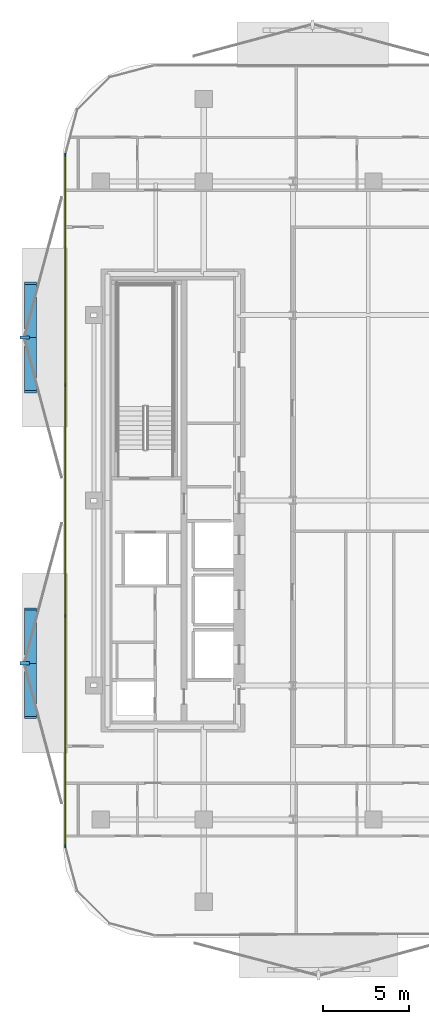
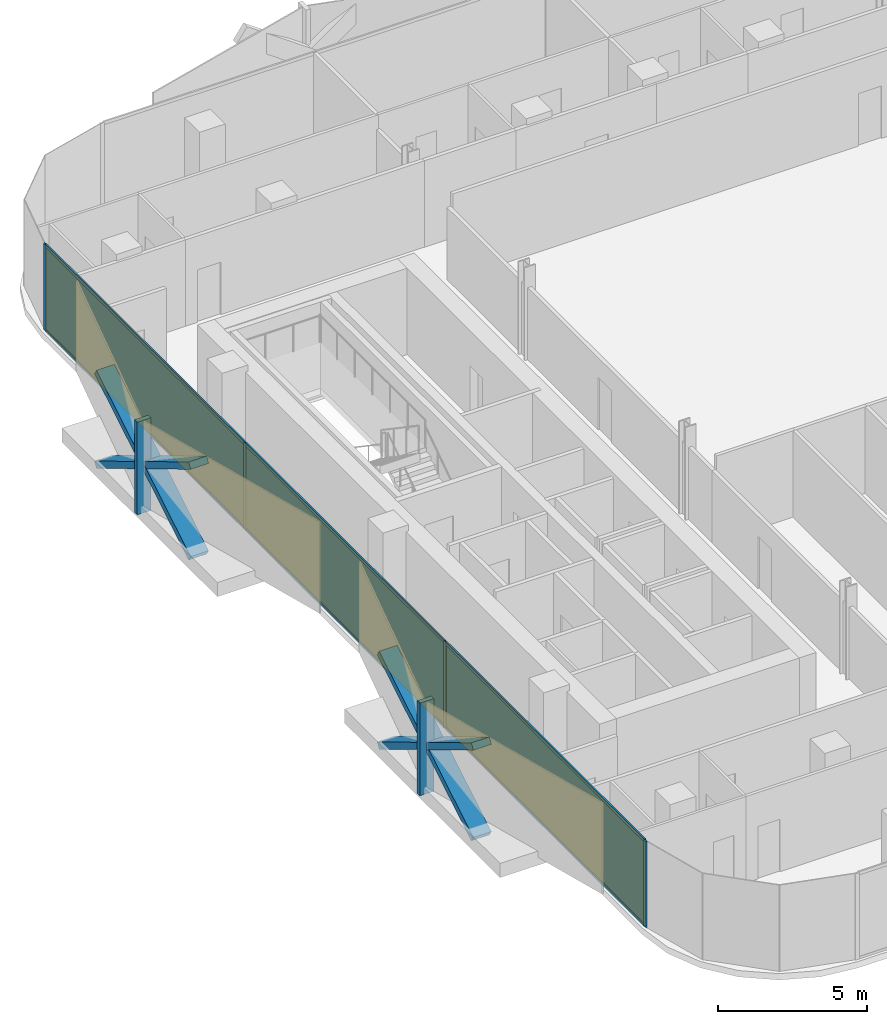
# One storey, part 10 of 17: 16 members, 3 plates, 1 curtain wall.
"""IFC4 building model written with IfcOpenShell, lengths in metres."""

from ifc_helpers import new_model, si_unit, direction, frame, frame_2d, origin, origin_2d, place, context, subcontext, project, spatial, rectangle, extrude, material, layer, layer_set, material_profile, profile_set, type_object, element, aggregate, save


model = new_model("IFC4")

# Units and contexts
model_context = context("Model", 3, precision=1e-05, world=origin(), true_north=direction((0.0, 1.0)))
body_context = subcontext(model_context, "Body", "Model", "MODEL_VIEW")
ifc_project = project(units=[si_unit("LENGTHUNIT", "METRE"), si_unit("AREAUNIT", "SQUARE_METRE"), si_unit("VOLUMEUNIT", "CUBIC_METRE"), si_unit("PLANEANGLEUNIT", "RADIAN"), si_unit("MASSUNIT", "GRAM", prefix="KILO")], contexts=[model_context])

# Member
ifc_material_1 = material(Name="Anodised Bronze Aluminium 6063-T6", Category="aluminium")
ifc_material_profile_1 = material_profile(ifc_material_1, rectangle(XDim=0.260009765625, YDim=0.699951171875, at=origin_2d()))
ifc_profile_set_1 = profile_set([ifc_material_profile_1], Name="Anodised Bronze Aluminium 6063-T6")
member_type_1 = type_object("IfcMemberType", Name="Bronze Diamond Solar-Screen Lattice Rib BDL-700", PredefinedType="MULLION", material=ifc_profile_set_1)
site_placement = place(None, origin())
building_placement = place(site_placement, origin())
storey_placement = place(building_placement, frame((0.0, 0.0, 199.199951171875)))
member_1_placement = place(storey_placement, frame((-24.5, -12.660400390625, -0.1298828125), z_axis=(0.0, 0.85737327611, 0.514695118893), x_axis=(0.0, -0.514695118893, 0.85737327611)))
member_1 = element("IfcMember", 1, at=member_1_placement, type_object=member_type_1, Name="L46 Bronze Diamond Solar Screen Lattice Rib 307A", PredefinedType="MULLION", context=body_context, shape_type="SweptSolid", body=[
    extrude(rectangle(XDim=0.260009765625, YDim=0.699951171875, at=origin_2d()), origin(), (0.0, 0.0, 1.0), 7.383056640625),
])

member_2_placement = place(storey_placement, frame((-24.5, -6.330322265625, -0.1298828125), z_axis=(0.0, -0.85737327611, 0.514695118893), x_axis=(0.0, 0.514695118893, 0.85737327611)))
member_2 = element("IfcMember", 2, at=member_2_placement, type_object=member_type_1, Name="L46 Bronze Diamond Solar Screen Lattice Rib 307B", PredefinedType="MULLION", context=body_context, shape_type="SweptSolid", body=[
    extrude(rectangle(XDim=0.260009765625, YDim=0.699951171875, at=origin_2d()), origin(), (0.0, 0.0, 1.0), 7.383056640625),
])

member_3_placement = place(storey_placement, frame((-24.5, 6.330322265625, -0.1298828125), z_axis=(0.0, 0.85737327611, 0.514695118893), x_axis=(0.0, -0.514695118893, 0.85737327611)))
member_3 = element("IfcMember", 3, at=member_3_placement, type_object=member_type_1, Name="L46 Bronze Diamond Solar Screen Lattice Rib 308A", PredefinedType="MULLION", context=body_context, shape_type="SweptSolid", body=[
    extrude(rectangle(XDim=0.260009765625, YDim=0.699951171875, at=origin_2d()), origin(), (0.0, 0.0, 1.0), 7.383056640625),
])

member_4_placement = place(storey_placement, frame((-24.5, 12.660400390625, -0.1298828125), z_axis=(0.0, -0.85737327611, 0.514695118893), x_axis=(0.0, 0.514695118893, 0.85737327611)))
member_4 = element("IfcMember", 4, at=member_4_placement, type_object=member_type_1, Name="L46 Bronze Diamond Solar Screen Lattice Rib 308B", PredefinedType="MULLION", context=body_context, shape_type="SweptSolid", body=[
    extrude(rectangle(XDim=0.260009765625, YDim=0.699951171875, at=origin_2d()), origin(), (0.0, 0.0, 1.0), 7.383056640625),
])

ifc_material_2 = material(Name="Anodised Bronze Aluminium 6063-T6", Category="aluminium")
ifc_material_profile_2 = material_profile(ifc_material_2, rectangle(XDim=0.179931640625, YDim=0.5400390625, at=origin_2d()))
ifc_profile_set_2 = profile_set([ifc_material_profile_2], Name="Anodised Bronze Aluminium 6063-T6")
member_type_2 = type_object("IfcMemberType", Name="Bronze Solar-Screen Vertical Fold Fin BSF-540", PredefinedType="MULLION", material=ifc_profile_set_2)
member_5_placement = place(storey_placement, frame((-24.840087890625, -9.495361328125, -0.1298828125), z_axis=(0.0, 0.0, 1.0), x_axis=(0.0, 1.0, 0.0)))
member_5 = element("IfcMember", 5, at=member_5_placement, type_object=member_type_2, Name="L46 Bronze Solar Screen Vertical Fin 307", PredefinedType="MULLION", context=body_context, shape_type="SweptSolid", body=[
    extrude(rectangle(XDim=0.179931640625, YDim=0.5400390625, at=origin_2d()), origin(), (0.0, 0.0, 1.0), 3.800048828125),
])

member_6_placement = place(storey_placement, frame((-24.840087890625, 9.495361328125, -0.1298828125), z_axis=(0.0, 0.0, 1.0), x_axis=(0.0, 1.0, 0.0)))
member_6 = element("IfcMember", 6, at=member_6_placement, type_object=member_type_2, Name="L46 Bronze Solar Screen Vertical Fin 308", PredefinedType="MULLION", context=body_context, shape_type="SweptSolid", body=[
    extrude(rectangle(XDim=0.179931640625, YDim=0.5400390625, at=origin_2d()), origin(), (0.0, 0.0, 1.0), 3.800048828125),
])

ifc_material_3 = material(Name="Anodised Bronze Aluminium 6063-T6", Category="aluminium")
ifc_material_profile_3 = material_profile(ifc_material_3, rectangle(XDim=0.06005859375, YDim=0.1650390625, at=origin_2d()))
ifc_profile_set_3 = profile_set([ifc_material_profile_3], Name="Anodised Bronze Aluminium 6063-T6")
member_type_3 = type_object("IfcMemberType", Name="CW-Z3 Mullion 60x165", PredefinedType="MULLION", material=ifc_profile_set_3)
member_7_placement = place(storey_placement, frame((-22.4599609375, -20.160888671875, 0.0), z_axis=(0.0, 0.0, 1.0), x_axis=(-1.0, 0.0, 0.0)))
member_7 = element("IfcMember", 7, at=member_7_placement, type_object=member_type_3, Name="CW-Z3 mullion 1", PredefinedType="MULLION", context=body_context, shape_type="SweptSolid", body=[
    extrude(rectangle(XDim=0.06005859375, YDim=0.1650390625, at=origin_2d()), origin(), (0.0, 0.0, 1.0), 3.5400390625),
])

member_8_placement = place(storey_placement, frame((-22.4599609375, -6.730224609375, 0.0), z_axis=(0.0, 0.0, 1.0), x_axis=(-1.0, 0.0, 0.0)))
member_8 = element("IfcMember", 8, at=member_8_placement, type_object=member_type_3, Name="CW-Z3 mullion 2", PredefinedType="MULLION", context=body_context, shape_type="SweptSolid", body=[
    extrude(rectangle(XDim=0.06005859375, YDim=0.1650390625, at=origin_2d()), origin(), (0.0, 0.0, 1.0), 3.5400390625),
])

member_9_placement = place(storey_placement, frame((-22.4599609375, 6.730224609375, 0.0), z_axis=(0.0, 0.0, 1.0), x_axis=(-1.0, 0.0, 0.0)))
member_9 = element("IfcMember", 9, at=member_9_placement, type_object=member_type_3, Name="CW-Z3 mullion 3", PredefinedType="MULLION", context=body_context, shape_type="SweptSolid", body=[
    extrude(rectangle(XDim=0.06005859375, YDim=0.1650390625, at=origin_2d()), origin(), (0.0, 0.0, 1.0), 3.5400390625),
])

member_10_placement = place(storey_placement, frame((-22.4599609375, 20.160888671875, 0.0), z_axis=(0.0, 0.0, 1.0), x_axis=(-1.0, 0.0, 0.0)))
member_10 = element("IfcMember", 10, at=member_10_placement, type_object=member_type_3, Name="CW-Z3 mullion 4", PredefinedType="MULLION", context=body_context, shape_type="SweptSolid", body=[
    extrude(rectangle(XDim=0.06005859375, YDim=0.1650390625, at=origin_2d()), origin(), (0.0, 0.0, 1.0), 3.5400390625),
])

ifc_material_4 = material(Name="Anodised Bronze Aluminium 6063-T6", Category="aluminium")
ifc_material_profile_4 = material_profile(ifc_material_4, rectangle(XDim=0.06005859375, YDim=0.1298828125, at=origin_2d()))
ifc_profile_set_4 = profile_set([ifc_material_profile_4], Name="Anodised Bronze Aluminium 6063-T6")
member_type_4 = type_object("IfcMemberType", Name="CW-Z3 Transom 60x130", PredefinedType="USERDEFINED", material=ifc_profile_set_4)
member_11_placement = place(storey_placement, frame((-22.4599609375, -20.130859375, 0.030029296875), z_axis=(0.0, 1.0, 0.0), x_axis=(-1.0, 0.0, 0.0)))
member_11 = element("IfcMember", 11, at=member_11_placement, type_object=member_type_4, Name="CW-Z3 transom 1.1", ObjectType="TRANSOM", PredefinedType="USERDEFINED", context=body_context, shape_type="SweptSolid", body=[
    extrude(rectangle(XDim=0.06005859375, YDim=0.1298828125, at=origin_2d()), origin(), (0.0, 0.0, 1.0), 13.37060546875),
])

member_12_placement = place(storey_placement, frame((-22.4599609375, -20.130859375, 3.510009765625), z_axis=(0.0, 1.0, 0.0), x_axis=(-1.0, 0.0, 0.0)))
member_12 = element("IfcMember", 12, at=member_12_placement, type_object=member_type_4, Name="CW-Z3 transom 1.2", ObjectType="TRANSOM", PredefinedType="USERDEFINED", context=body_context, shape_type="SweptSolid", body=[
    extrude(rectangle(XDim=0.06005859375, YDim=0.1298828125, at=origin_2d()), origin(), (0.0, 0.0, 1.0), 13.37060546875),
])

member_13_placement = place(storey_placement, frame((-22.4599609375, -6.7001953125, 0.030029296875), z_axis=(0.0, 1.0, 0.0), x_axis=(-1.0, 0.0, 0.0)))
member_13 = element("IfcMember", 13, at=member_13_placement, type_object=member_type_4, Name="CW-Z3 transom 2.1", ObjectType="TRANSOM", PredefinedType="USERDEFINED", context=body_context, shape_type="SweptSolid", body=[
    extrude(rectangle(XDim=0.06005859375, YDim=0.1298828125, at=origin_2d()), origin(), (0.0, 0.0, 1.0), 13.400390625),
])

member_14_placement = place(storey_placement, frame((-22.4599609375, -6.7001953125, 3.510009765625), z_axis=(0.0, 1.0, 0.0), x_axis=(-1.0, 0.0, 0.0)))
member_14 = element("IfcMember", 14, at=member_14_placement, type_object=member_type_4, Name="CW-Z3 transom 2.2", ObjectType="TRANSOM", PredefinedType="USERDEFINED", context=body_context, shape_type="SweptSolid", body=[
    extrude(rectangle(XDim=0.06005859375, YDim=0.1298828125, at=origin_2d()), origin(), (0.0, 0.0, 1.0), 13.400390625),
])

member_15_placement = place(storey_placement, frame((-22.4599609375, 6.76025390625, 0.030029296875), z_axis=(0.0, 1.0, 0.0), x_axis=(-1.0, 0.0, 0.0)))
member_15 = element("IfcMember", 15, at=member_15_placement, type_object=member_type_4, Name="CW-Z3 transom 3.1", ObjectType="TRANSOM", PredefinedType="USERDEFINED", context=body_context, shape_type="SweptSolid", body=[
    extrude(rectangle(XDim=0.06005859375, YDim=0.1298828125, at=origin_2d()), origin(), (0.0, 0.0, 1.0), 13.37060546875),
])

member_16_placement = place(storey_placement, frame((-22.4599609375, 6.76025390625, 3.510009765625), z_axis=(0.0, 1.0, 0.0), x_axis=(-1.0, 0.0, 0.0)))
member_16 = element("IfcMember", 16, at=member_16_placement, type_object=member_type_4, Name="CW-Z3 transom 3.2", ObjectType="TRANSOM", PredefinedType="USERDEFINED", context=body_context, shape_type="SweptSolid", body=[
    extrude(rectangle(XDim=0.06005859375, YDim=0.1298828125, at=origin_2d()), origin(), (0.0, 0.0, 1.0), 13.37060546875),
])

# Plate
ifc_material_5 = material(Name="Low-E Solar Control Laminated Glass", Category="glass")
ifc_layer_1 = layer(ifc_material_5, 0.030029296875, Name="Low-E Solar Control Laminated Glass")
ifc_layer_set_1 = layer_set([ifc_layer_1], Name="Low-E Solar Control Laminated Glass")
plate_type = type_object("IfcPlateType", Name="CW-Z3 Low-E Double Glazed Panel 30mm", PredefinedType="CURTAIN_PANEL", material=ifc_layer_set_1)
plate_1_placement = place(storey_placement, frame((-22.4599609375, -13.445556640625, 0.06005859375), z_axis=(0.0, 0.0, 1.0), x_axis=(0.0, 1.0, 0.0)))
plate_1 = element("IfcPlate", 17, at=plate_1_placement, type_object=plate_type, Name="CW-Z3 panel 1.1", PredefinedType="CURTAIN_PANEL", context=body_context, shape_type="SweptSolid", body=[
    extrude(rectangle(XDim=13.37060546875, YDim=0.030029296875, at=origin_2d()), origin(), (0.0, 0.0, 1.0), 3.419921875),
])

plate_2_placement = place(storey_placement, frame((-22.4599609375, 0.0, 0.06005859375), z_axis=(0.0, 0.0, 1.0), x_axis=(0.0, 1.0, 0.0)))
plate_2 = element("IfcPlate", 18, at=plate_2_placement, type_object=plate_type, Name="CW-Z3 panel 2.1", PredefinedType="CURTAIN_PANEL", context=body_context, shape_type="SweptSolid", body=[
    extrude(rectangle(XDim=13.400634765625, YDim=0.030029296875, at=origin_2d()), origin(), (0.0, 0.0, 1.0), 3.419921875),
])

plate_3_placement = place(storey_placement, frame((-22.4599609375, 13.445556640625, 0.06005859375), z_axis=(0.0, 0.0, 1.0), x_axis=(0.0, 1.0, 0.0)))
plate_3 = element("IfcPlate", 19, at=plate_3_placement, type_object=plate_type, Name="CW-Z3 panel 3.1", PredefinedType="CURTAIN_PANEL", context=body_context, shape_type="SweptSolid", body=[
    extrude(rectangle(XDim=13.37060546875, YDim=0.030029296875, at=origin_2d()), origin(), (0.0, 0.0, 1.0), 3.419921875),
])

# Site, building, storey
site = spatial("IfcSite", under=ifc_project, at=site_placement, CompositionType="ELEMENT")
building = spatial("IfcBuilding", under=site, at=building_placement, Name="Khairoan Windgate Tower", CompositionType="ELEMENT")
storey = spatial("IfcBuildingStorey", under=building, at=storey_placement, Name="L46", CompositionType="ELEMENT", Elevation=199.199951171875)

# Curtain wall
ifc_material_6 = material(Name="Anodised Bronze Aluminium 6063-T6", Category="aluminium")
ifc_layer_2 = layer(ifc_material_6, 0.1650390625, Name="Anodised Bronze Aluminium 6063-T6")
ifc_layer_set_2 = layer_set([ifc_layer_2], Name="Anodised Bronze Aluminium 6063-T6")
curtain_wall_type = type_object("IfcCurtainWallType", Name="Luxury Hotel Acoustic Curtain Wall CW-Z3", PredefinedType="NOTDEFINED", material=ifc_layer_set_2)
curtain_wall_placement = place(storey_placement, frame((-22.4599609375, -20.19091796875, 0.0), z_axis=(0.0, 0.0, 1.0), x_axis=(0.0, 1.0, 0.0)))
curtain_wall = element("IfcCurtainWall", 20, at=curtain_wall_placement, inside=storey, type_object=curtain_wall_type, Name="L46 Unitised Curtain Wall 5", PredefinedType="NOTDEFINED", context=body_context, shape_type="SweptSolid", body=[
    extrude(rectangle(XDim=40.3818359375, YDim=0.010009765625, at=frame_2d((20.19091796875, 0.0))), origin(), (0.0, 0.0, 1.0), 3.5400390625),
])

aggregate(curtain_wall, [member_7, member_8, member_9, member_10, member_11, member_12, plate_1, member_13, member_14, plate_2, member_15, member_16, plate_3, member_1, member_2, member_5, member_3, member_4, member_6])

save(model, "model.ifc")
